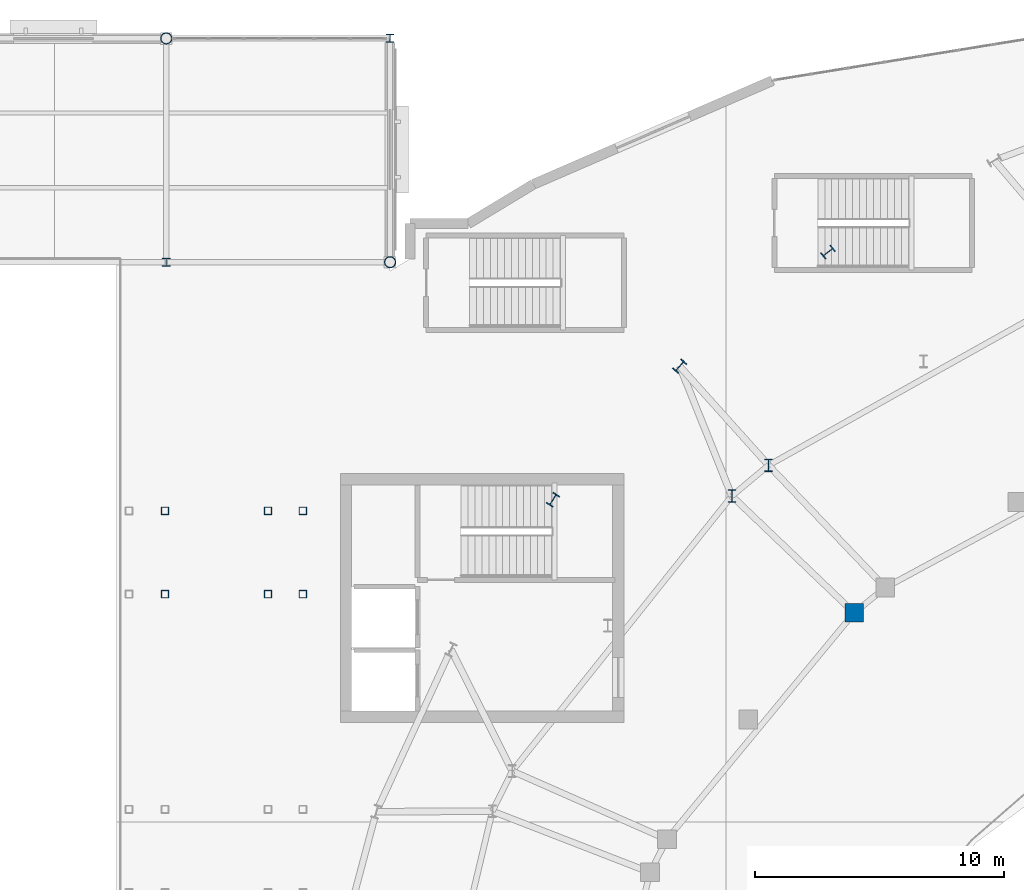
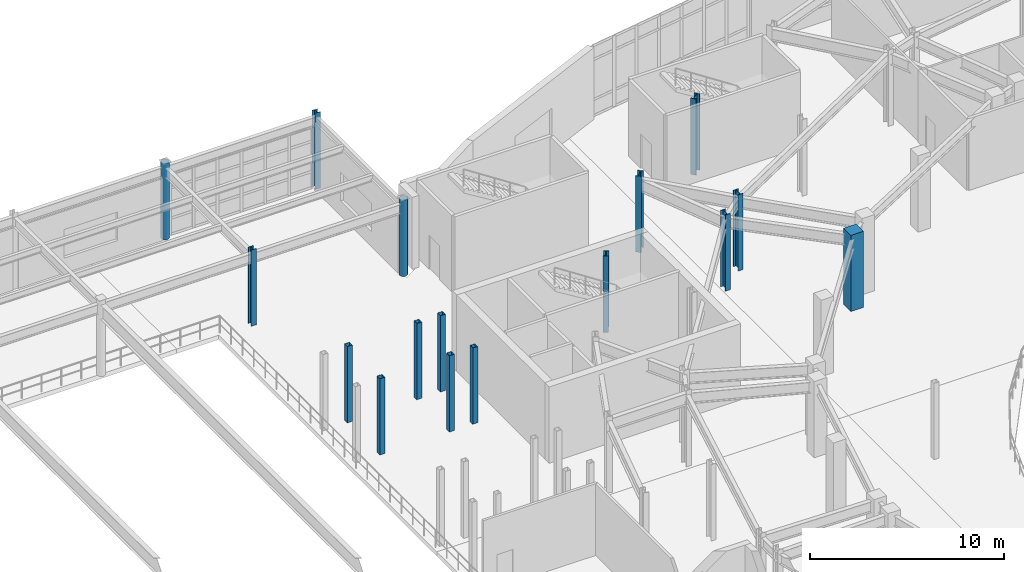
# One storey, part 13 of 86: 16 columns.
"""IFC4 building model written with IfcOpenShell, lengths in metres."""

from ifc_helpers import new_model, si_unit, direction, frame, origin, origin_2d, place, context, subcontext, project, spatial, rectangle, hollow_rectangle, hollow_circle, i_section, extrude, material, material_profile, profile_set, type_object, element, save


model = new_model("IFC4")

# Units and contexts
model_context = context("Model", 3, precision=1e-05, world=origin(), true_north=direction((0.0, 1.0)))
body_context = subcontext(model_context, "Body", "Model", "MODEL_VIEW")
ifc_project = project(units=[si_unit("LENGTHUNIT", "METRE"), si_unit("AREAUNIT", "SQUARE_METRE"), si_unit("VOLUMEUNIT", "CUBIC_METRE"), si_unit("PLANEANGLEUNIT", "RADIAN"), si_unit("MASSUNIT", "GRAM", prefix="KILO")], contexts=[model_context])

# Site, building, storey
site_placement = place(None, origin())
site = spatial("IfcSite", under=ifc_project, at=site_placement, CompositionType="ELEMENT")
building_placement = place(site_placement, origin())
building = spatial("IfcBuilding", under=site, at=building_placement, Name="Glasvene Arena", CompositionType="ELEMENT")
storey_placement = place(building_placement, frame((0.0, 0.0, 5.39990234375)))
storey = spatial("IfcBuildingStorey", under=building, at=storey_placement, Name="L01", CompositionType="ELEMENT", Elevation=5.39990234375)

# Columns
ifc_material_1 = material(Name="Concrete C40/50", Category="concrete")
ifc_material_profile_1 = material_profile(ifc_material_1, rectangle(XDim=0.75, YDim=0.75, at=origin_2d()), Name="RC 750x750")
ifc_profile_set_1 = profile_set([ifc_material_profile_1], Name="Concrete C40/50")
column_type_1 = type_object("IfcColumnType", Name="COL-MID-RC750", PredefinedType="COLUMN", material=ifc_profile_set_1)
column_placement = place(storey_placement, frame((63.65966796875, 94.90087890625, 0.0), z_axis=(0.0, 0.0, 1.0), x_axis=(1.0, 0.0, 0.0)))
element("IfcColumn", 1, at=column_placement, inside=storey, type_object=column_type_1, Name="Mid-bowl fulcrum column L01 07-1", PredefinedType="COLUMN", context=body_context, shape_type="SweptSolid", body=[
    extrude(rectangle(XDim=0.75, YDim=0.75, at=origin_2d()), origin(), (0.0, 0.0, 1.0), 4.800048828125),
])
ifc_material_2 = material(Name="Steel S355J2", Category="steel")
ifc_material_profile_2 = material_profile(ifc_material_2, i_section(OverallWidth=0.305908203125, OverallDepth=0.52392578125, WebThickness=0.02099609375, FlangeThickness=0.0400390625, FilletRadius=0.027099609375, at=origin_2d()), Name="HEM 500")
ifc_profile_set_2 = profile_set([ifc_material_profile_2], Name="Steel S355J2")
column_type_2 = type_object("IfcColumnType", Name="COL-RING-HEM500", PredefinedType="COLUMN", material=ifc_profile_set_2)
for number, where, z_axis, x_axis, name in (
    (2, (62.610595703125, 109.40576171875, 0.0), (0.0, 0.0, 1.0), (-0.628098877137, 0.778133536444, 0.0), "Bowl ring column R15 L01"),
    (3, (56.644775390625, 104.81982421875, 0.0), (0.0, 0.0, 1.0), (-0.74326159948, 0.669000892928, 0.0), "Bowl ring column R16 L01"),
    (4, (51.54931640625, 99.4501953125, 0.0), (0.0, 0.0, 1.0), (-0.836955398099, 0.547271104292, 0.0), "Bowl ring column R17 L01"),
):
    element("IfcColumn", number, at=place(storey_placement, frame(where, z_axis=z_axis, x_axis=x_axis)), inside=storey, type_object=column_type_2, Name=name, PredefinedType="COLUMN", context=body_context, shape_type="SweptSolid", body=[
        extrude(i_section(OverallWidth=0.305908203125, OverallDepth=0.52392578125, WebThickness=0.02099609375, FlangeThickness=0.0400390625, FilletRadius=0.027099609375, at=origin_2d()), origin(), (0.0, 0.0, 1.0), 4.800048828125),
    ])
ifc_material_profile_3 = material_profile(ifc_material_2, hollow_circle(Radius=0.228515625, WallThickness=0.02001953125, at=origin_2d()), Name="CHS 457.0x20.0")
ifc_profile_set_3 = profile_set([ifc_material_profile_3], Name="Steel S355J2")
column_type_3 = type_object("IfcColumnType", Name="COL-W-CHS457", PredefinedType="COLUMN", material=ifc_profile_set_3)
for number, where, z_axis, x_axis, name in (
    (5, (36.0, 118.0, 0.0), (0.0, 0.0, 1.0), (1.0, 0.0, 0.0), "Grid column 5-14 L01"),
    (6, (45.0, 109.0, 0.0), (0.0, 0.0, 1.0), (1.0, 0.0, 0.0), "Grid column 6-13 L01"),
):
    element("IfcColumn", number, at=place(storey_placement, frame(where, z_axis=z_axis, x_axis=x_axis)), inside=storey, type_object=column_type_3, Name=name, PredefinedType="COLUMN", context=body_context, shape_type="SweptSolid", body=[
        extrude(hollow_circle(Radius=0.228515625, WallThickness=0.02001953125, at=origin_2d()), origin(), (0.0, 0.0, 1.0), 4.800048828125),
    ])
ifc_material_profile_4 = material_profile(ifc_material_2, i_section(OverallWidth=0.300048828125, OverallDepth=0.5, WebThickness=0.014404296875, FlangeThickness=0.028076171875, FilletRadius=0.027099609375, at=origin_2d()), Name="HEB 500")
ifc_profile_set_4 = profile_set([ifc_material_profile_4], Name="Steel S355J2")
column_type_4 = type_object("IfcColumnType", Name="COL-W-HEB500", PredefinedType="COLUMN", material=ifc_profile_set_4)
for number, where, z_axis, x_axis, name in (
    (7, (60.219482421875, 100.834228515625, 0.0), (0.0, 0.0, 1.0), (1.0, 0.0, 0.0), "Upper raker rear column L01 06-2"),
    (8, (58.743408203125, 99.59912109375, 0.0), (0.0, 0.0, 1.0), (1.0, 0.0, 0.0), "Upper raker rear column L01 07-1"),
):
    element("IfcColumn", number, at=place(storey_placement, frame(where, z_axis=z_axis, x_axis=x_axis)), inside=storey, type_object=column_type_4, Name=name, PredefinedType="COLUMN", context=body_context, shape_type="SweptSolid", body=[
        extrude(i_section(OverallWidth=0.300048828125, OverallDepth=0.5, WebThickness=0.014404296875, FlangeThickness=0.028076171875, FilletRadius=0.027099609375, at=origin_2d()), origin(), (0.0, 0.0, 1.0), 4.800048828125),
    ])
ifc_material_profile_5 = material_profile(ifc_material_2, hollow_rectangle(XDim=0.300048828125, YDim=0.300048828125, WallThickness=0.012451171875, at=origin_2d()), Name="SHS 300x300x12.5")
ifc_profile_set_5 = profile_set([ifc_material_profile_5], Name="Steel S355J2")
column_type_5 = type_object("IfcColumnType", Name="COL-W-SHS300", PredefinedType="COLUMN", material=ifc_profile_set_5)
for number, where, z_axis, x_axis, name in (
    (9, (35.949951171875, 95.64990234375, 0.0), (0.0, 0.0, 1.0), (1.0, 0.0, 0.0), "Vomitory arrival support column VOM-06 L01"),
    (10, (35.949951171875, 99.0, 0.0), (0.0, 0.0, 1.0), (1.0, 0.0, 0.0), "Vomitory arrival support column VOM-06 L01"),
    (11, (40.090087890625, 95.64990234375, 0.0), (0.0, 0.0, 1.0), (1.0, 0.0, 0.0), "Vomitory landing column VOM-06 L01"),
    (12, (40.090087890625, 99.0, 0.0), (0.0, 0.0, 1.0), (1.0, 0.0, 0.0), "Vomitory landing column VOM-06 L01"),
    (13, (41.489990234375, 95.64990234375, 0.0), (0.0, 0.0, 1.0), (1.0, 0.0, 0.0), "Vomitory landing column VOM-06 L01"),
    (14, (41.489990234375, 99.0, 0.0), (0.0, 0.0, 1.0), (1.0, 0.0, 0.0), "Vomitory landing column VOM-06 L01"),
):
    element("IfcColumn", number, at=place(storey_placement, frame(where, z_axis=z_axis, x_axis=x_axis)), inside=storey, type_object=column_type_5, Name=name, PredefinedType="COLUMN", context=body_context, shape_type="SweptSolid", body=[
        extrude(hollow_rectangle(XDim=0.300048828125, YDim=0.300048828125, WallThickness=0.012451171875, at=origin_2d()), origin(), (0.0, 0.0, 1.0), 4.800048828125),
    ])
ifc_material_profile_6 = material_profile(ifc_material_2, i_section(OverallWidth=0.30908203125, OverallDepth=0.320556640625, WebThickness=0.013916015625, FlangeThickness=0.021728515625, FilletRadius=0.01513671875, at=origin_2d()), Name="UKC 305x305x137")
ifc_profile_set_6 = profile_set([ifc_material_profile_6], Name="Steel S355J2")
column_type_6 = type_object("IfcColumnType", Name="COL-W-UKC137", PredefinedType="COLUMN", material=ifc_profile_set_6)
for number, where, z_axis, x_axis, name in (
    (15, (36.0, 109.0, 0.0), (0.0, 0.0, 1.0), (1.0, 0.0, 0.0), "Grid column 5-13 L01"),
    (16, (45.0, 118.0, 0.0), (0.0, 0.0, 1.0), (1.0, 0.0, 0.0), "Grid column 6-14 L01"),
):
    element("IfcColumn", number, at=place(storey_placement, frame(where, z_axis=z_axis, x_axis=x_axis)), inside=storey, type_object=column_type_6, Name=name, PredefinedType="COLUMN", context=body_context, shape_type="SweptSolid", body=[
        extrude(i_section(OverallWidth=0.30908203125, OverallDepth=0.320556640625, WebThickness=0.013916015625, FlangeThickness=0.021728515625, FilletRadius=0.01513671875, at=origin_2d()), origin(), (0.0, 0.0, 1.0), 4.800048828125),
    ])

save(model, "model.ifc")
